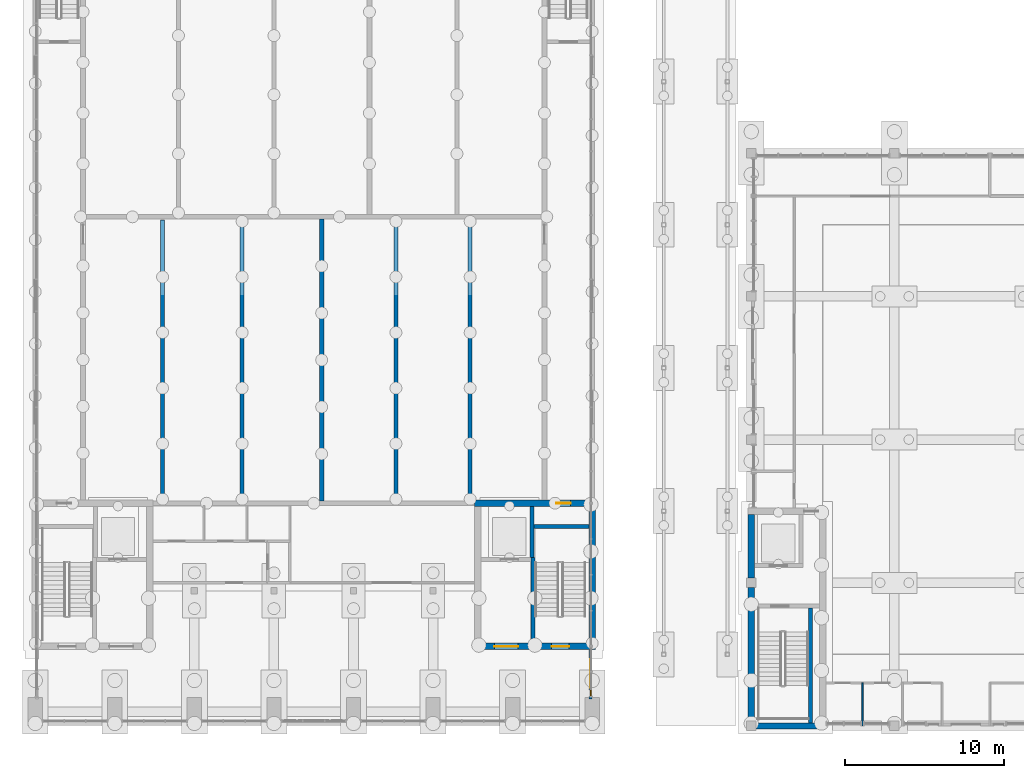
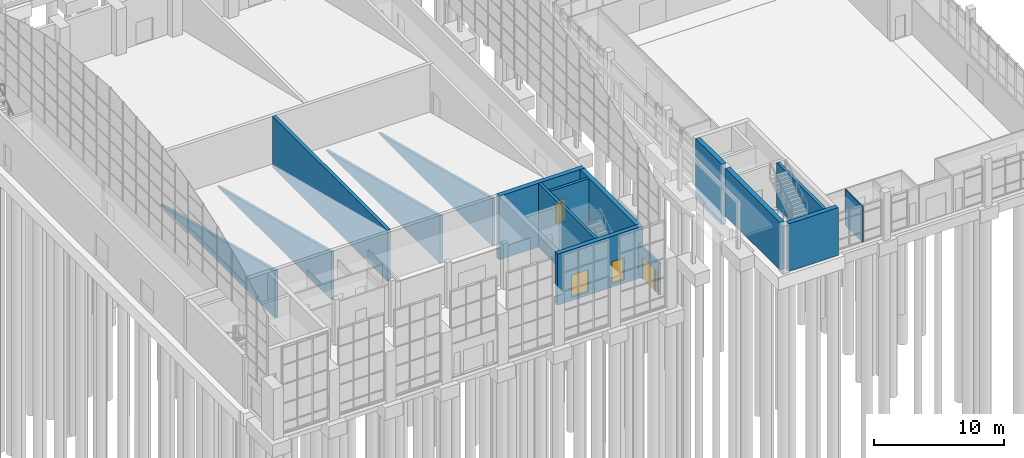
# One storey, part 66 of 106: 17 walls, 4 doors, 1 window, 5 openings.
"""IFC4 building model written with IfcOpenShell, lengths in metres."""

from ifc_helpers import new_model, si_unit, direction, frame, frame_2d, origin, place, context, subcontext, project, spatial, polyline, rectangle, outline, extrude, material, layer, layer_set, type_object, element, fill, save


model = new_model("IFC4")

# Units and contexts
model_context = context("Model", 3, precision=1e-05, world=origin(), true_north=direction((0.0, 1.0)))
body_context = subcontext(model_context, "Body", "Model", "MODEL_VIEW")
ifc_project = project(units=[si_unit("LENGTHUNIT", "METRE"), si_unit("AREAUNIT", "SQUARE_METRE"), si_unit("VOLUMEUNIT", "CUBIC_METRE"), si_unit("PLANEANGLEUNIT", "RADIAN"), si_unit("MASSUNIT", "GRAM", prefix="KILO")], contexts=[model_context])

# Site, building, storey
site_placement = place(None, origin())
site = spatial("IfcSite", under=ifc_project, at=site_placement, CompositionType="ELEMENT")
building_placement = place(site_placement, origin())
building = spatial("IfcBuilding", under=site, at=building_placement, Name="Merrow Basin Faculty of Sciences", CompositionType="ELEMENT")
storey_placement = place(building_placement, origin())
storey = spatial("IfcBuildingStorey", under=building, at=storey_placement, Name="L00", CompositionType="ELEMENT", Elevation=0.0)

# Wall, openings, door, window
ifc_material_1 = material(Name="Precast concrete C40/50", Category="concrete")
ifc_layer_1 = layer(ifc_material_1, 0.199951171875)
ifc_layer_set_1 = layer_set([ifc_layer_1], Name="Entrance frame wall 200 Precast concrete C40/50")
wall_type_1 = type_object("IfcWallType", Name="Entrance frame wall 200 Precast concrete C40/50", PredefinedType="STANDARD", material=ifc_layer_set_1)
wall_1_placement = place(storey_placement, frame((34.89990234375, 4.800048828125, 0.0), z_axis=(0.0, 0.0, 1.0), x_axis=(0.0, -1.0, 0.0)))
wall_1 = element("IfcWall", 1, at=wall_1_placement, inside=storey, type_object=wall_type_1, Name="East gable frame wall", PredefinedType="STANDARD", context=body_context, shape_type="SweptSolid", body=[
    extrude(rectangle(XDim=3.10009765625, YDim=0.199951171875, at=frame_2d((1.550048828125, 0.0))), origin(), (0.0, 0.0, 1.0), 3.0),
])
opening_1_placement = place(wall_1_placement, frame((0.60009765625, 0.0, 0.0)))
opening_1 = element("IfcOpeningElement", 2, at=opening_1_placement, cuts=wall_1, Name="Opening D00H028", PredefinedType="OPENING", context=body_context, shape_type="SweptSolid", body=[
    extrude(rectangle(XDim=1.800048828125, YDim=2.10009765625, at=frame_2d((0.89990234375, 1.050048828125))), frame((0.0, 0.10986328125, 0.0), z_axis=(0.0, -1.0, 0.0), x_axis=(1.0, 0.0, 0.0)), (0.0, 0.0, 1.0), 0.219970703125),
])
opening_2_placement = place(wall_1_placement, frame((2.550048828125, 0.0, 0.0)))
opening_2 = element("IfcOpeningElement", 3, at=opening_2_placement, cuts=wall_1, Name="Opening WN5", PredefinedType="OPENING", context=body_context, shape_type="SweptSolid", body=[
    extrude(rectangle(XDim=0.39990234375, YDim=2.10009765625, at=frame_2d((0.199951171875, 1.050048828125))), frame((0.0, 0.10986328125, 0.0), z_axis=(0.0, -1.0, 0.0), x_axis=(1.0, 0.0, 0.0)), (0.0, 0.0, 1.0), 0.219970703125),
])
ifc_material_2 = material(Name="Glazed aluminium door", Category="aluminium")
door_type_1 = type_object("IfcDoorType", Name="Double swing door 1800 x 2100", OperationType="NOTDEFINED", PredefinedType="DOOR", material=ifc_material_2)
door_1_placement = place(opening_1_placement, origin())
door_1 = element("IfcDoor", 4, at=door_1_placement, inside=storey, type_object=door_type_1, Name="East gable door", OperationType="DOUBLE_DOOR_SINGLE_SWING", OverallHeight=2.10009765625, OverallWidth=1.800048828125, PredefinedType="DOOR", context=body_context, shape_type="SweptSolid", body=[
    extrude(rectangle(XDim=1.800048828125, YDim=2.10009765625, at=frame_2d((0.89990234375, 1.050048828125))), frame((0.0, 0.02490234375, 0.0), z_axis=(0.0, -1.0, 0.0), x_axis=(1.0, 0.0, 0.0)), (0.0, 0.0, 1.0), 0.050048828125),
])
fill(opening_1, door_1)
ifc_material_3 = material(Name="Low-E double glazing", Category="glass")
window_type = type_object("IfcWindowType", Name="Gable sidelight 400 x 2100", PartitioningType="SINGLE_PANEL", PredefinedType="WINDOW", material=ifc_material_3)
window_placement = place(opening_2_placement, origin())
window = element("IfcWindow", 5, at=window_placement, inside=storey, type_object=window_type, Name="East gable sidelight", OverallHeight=2.10009765625, OverallWidth=0.39990234375, PartitioningType="SINGLE_PANEL", PredefinedType="WINDOW", context=body_context, shape_type="SweptSolid", body=[
    extrude(rectangle(XDim=0.39990234375, YDim=2.10009765625, at=frame_2d((0.199951171875, 1.050048828125))), frame((0.0, 0.030029296875, 0.0), z_axis=(0.0, -1.0, 0.0), x_axis=(1.0, 0.0, 0.0)), (0.0, 0.0, 1.0), 0.06005859375),
])
fill(opening_2, window)

# Walls
ifc_material_4 = material(Name="Concrete C40/50", Category="concrete")
ifc_layer_2 = layer(ifc_material_4, 0.300048828125)
ifc_layer_set_2 = layer_set([ifc_layer_2], Name="Hall wall 300 Concrete C40/50")
wall_type_2 = type_object("IfcWallType", Name="Hall wall 300 Concrete C40/50", PredefinedType="SHEAR", material=ifc_layer_set_2)
wall_2_placement = place(storey_placement, frame((18.0, 14.14990234375, -0.300048828125), z_axis=(0.0, 0.0, 1.0), x_axis=(0.0, 1.0, 0.0)))
element("IfcWall", 6, at=wall_2_placement, inside=storey, type_object=wall_type_2, Name="SW7 L00 023", PredefinedType="SHEAR", context=body_context, shape_type="SweptSolid", body=[
    extrude(rectangle(XDim=17.7001953125, YDim=0.300048828125, at=frame_2d((8.85009765625, 0.0))), origin(), (0.0, 0.0, 1.0), 4.800048828125),
])
ifc_material_5 = material(Name="Moisture-resistant gypsum board")
ifc_layer_3 = layer(ifc_material_5, 0.10009765625)
ifc_layer_set_3 = layer_set([ifc_layer_3], Name="Partition 100 moisture-resistant board on steel studs")
wall_type_3 = type_object("IfcWallType", Name="Partition 100 moisture-resistant board on steel studs", PredefinedType="PARTITIONING", material=ifc_layer_set_3)
wall_3_placement = place(storey_placement, frame((52.0, 0.0, 0.0), z_axis=(0.0, 0.0, 1.0), x_axis=(0.0, 1.0, 0.0)))
element("IfcWall", 7, at=wall_3_placement, inside=storey, type_object=wall_type_3, Name="IW101 L00 005", PredefinedType="PARTITIONING", context=body_context, shape_type="SweptSolid", body=[
    extrude(rectangle(XDim=2.699951171875, YDim=0.10009765625, at=frame_2d((1.35009765625, 0.0))), origin(), (0.0, 0.0, 1.0), 3.39990234375),
])
ifc_material_6 = material(Name="Concrete C40/50", Category="concrete")
ifc_layer_4 = layer(ifc_material_6, 0.25)
ifc_layer_set_4 = layer_set([ifc_layer_4], Name="Raked support wall 250 Concrete C40/50")
wall_type_4 = type_object("IfcWallType", Name="Raked support wall 250 Concrete C40/50", PredefinedType="SHEAR", material=ifc_layer_set_4)
for number, where, z_axis, x_axis, name in (
    (8, (8.0, 14.14990234375, -0.300048828125), (0.0, 0.0, 1.0), (0.0, 1.0, 0.0), "LT2 raked support wall 1"),
    (9, (13.0, 14.14990234375, -0.300048828125), (0.0, 0.0, 1.0), (0.0, 1.0, 0.0), "LT2 raked support wall 2"),
    (10, (22.6669921875, 14.14990234375, -0.300048828125), (0.0, 0.0, 1.0), (0.0, 1.0, 0.0), "LT3 raked support wall 1"),
    (11, (27.3330078125, 14.14990234375, -0.300048828125), (0.0, 0.0, 1.0), (0.0, 1.0, 0.0), "LT3 raked support wall 2"),
):
    element("IfcWall", number, at=place(storey_placement, frame(where, z_axis=z_axis, x_axis=x_axis)), inside=storey, type_object=wall_type_4, Name=name, PredefinedType="SHEAR", context=body_context, shape_type="SweptSolid", body=[
        extrude(outline(polyline([(0.0, 0.0), (17.662109375, 0.0), (17.662109375, 0.0), (13.2470703125, 1.123046875), (8.8310546875, 2.2451171875), (4.416015625, 3.3681640625), (0.0, 4.489990234375), (0.0, 0.0)])), frame((0.0, 0.125, 0.0), z_axis=(0.0, -1.0, 0.0), x_axis=(1.0, 0.0, 0.0)), (0.0, 0.0, 1.0), 0.25),
    ])
ifc_material_7 = material(Name="Concrete C40/50", Category="concrete")
ifc_layer_5 = layer(ifc_material_7, 0.25)
ifc_layer_set_5 = layer_set([ifc_layer_5], Name="Shear wall 250 Concrete C40/50")
wall_type_5 = type_object("IfcWallType", Name="Shear wall 250 Concrete C40/50", PredefinedType="SHEAR", material=ifc_layer_set_5)
wall_4_placement = place(storey_placement, frame((31.14990234375, 12.52490234375, -0.300048828125), z_axis=(0.0, 0.0, 1.0), x_axis=(1.0, 0.0, 0.0)))
element("IfcWall", 12, at=wall_4_placement, inside=storey, type_object=wall_type_5, Name="SW2 L00 013", PredefinedType="SHEAR", context=body_context, shape_type="SweptSolid", body=[
    extrude(rectangle(XDim=3.650146484375, YDim=0.25, at=frame_2d((1.8251953125, 0.0))), origin(), (0.0, 0.0, 1.0), 4.800048828125),
])
wall_5_placement = place(storey_placement, frame((31.27490234375, 5.199951171875, -0.300048828125), z_axis=(0.0, 0.0, 1.0), x_axis=(0.0, 1.0, 0.0)))
element("IfcWall", 13, at=wall_5_placement, inside=storey, type_object=wall_type_5, Name="SW2 L00 014", PredefinedType="SHEAR", context=body_context, shape_type="SweptSolid", body=[
    extrude(rectangle(XDim=5.400146484375, YDim=0.25, at=frame_2d((2.7001953125, 0.0))), origin(), (0.0, 0.0, 1.0), 4.800048828125),
])
wall_6_placement = place(storey_placement, frame((31.22509765625, 10.60009765625, -1.5), z_axis=(0.0, 0.0, 1.0), x_axis=(0.0, 1.0, 0.0)))
element("IfcWall", 14, at=wall_6_placement, inside=storey, type_object=wall_type_5, Name="SW2 L00 016", PredefinedType="SHEAR", context=body_context, shape_type="SweptSolid", body=[
    extrude(rectangle(XDim=3.199951171875, YDim=0.25, at=frame_2d((1.60009765625, 0.0))), origin(), (0.0, 0.0, 1.0), 6.0),
])
wall_7_placement = place(storey_placement, frame((48.72509765625, 0.199951171875, -0.300048828125), z_axis=(0.0, 0.0, 1.0), x_axis=(0.0, 1.0, 0.0)))
element("IfcWall", 15, at=wall_7_placement, inside=storey, type_object=wall_type_5, Name="SW2 L00 007", PredefinedType="SHEAR", context=body_context, shape_type="SweptSolid", body=[
    extrude(rectangle(XDim=7.199951171875, YDim=0.25, at=frame_2d((3.60009765625, 0.0))), origin(), (0.0, 0.0, 1.0), 4.5),
])

# Wall, openings, doors
ifc_material_8 = material(Name="Concrete C40/50", Category="concrete")
ifc_layer_6 = layer(ifc_material_8, 0.39990234375)
ifc_layer_set_6 = layer_set([ifc_layer_6], Name="Shear wall 400 Concrete C40/50")
wall_type_6 = type_object("IfcWallType", Name="Shear wall 400 Concrete C40/50", PredefinedType="SHEAR", material=ifc_layer_set_6)
wall_8_placement = place(storey_placement, frame((27.60009765625, 5.0, -0.300048828125), z_axis=(0.0, 0.0, 1.0), x_axis=(1.0, 0.0, 0.0)))
wall_8 = element("IfcWall", 16, at=wall_8_placement, inside=storey, type_object=wall_type_6, Name="SW1 L00 009", PredefinedType="SHEAR", context=body_context, shape_type="SweptSolid", body=[
    extrude(rectangle(XDim=7.599853515625, YDim=0.39990234375, at=frame_2d((3.7998046875, 0.0))), origin(), (0.0, 0.0, 1.0), 4.800048828125),
])
opening_3_placement = place(wall_8_placement, frame((4.85009765625, 0.0, 0.300048828125)))
opening_3 = element("IfcOpeningElement", 17, at=opening_3_placement, cuts=wall_8, Name="Opening D00H004", PredefinedType="OPENING", context=body_context, shape_type="SweptSolid", body=[
    extrude(rectangle(XDim=1.10009765625, YDim=2.10009765625, at=frame_2d((0.550048828125, 1.050048828125))), frame((0.0, 0.2099609375, 0.0), z_axis=(0.0, -1.0, 0.0), x_axis=(1.0, 0.0, 0.0)), (0.0, 0.0, 1.0), 0.419921875),
])
opening_4_placement = place(wall_8_placement, frame((1.25, 0.0, 0.300048828125)))
opening_4 = element("IfcOpeningElement", 18, at=opening_4_placement, cuts=wall_8, Name="Opening D00H005", PredefinedType="OPENING", context=body_context, shape_type="SweptSolid", body=[
    extrude(rectangle(XDim=1.5, YDim=2.10009765625, at=frame_2d((0.75, 1.050048828125))), frame((0.0, 0.2099609375, 0.0), z_axis=(0.0, -1.0, 0.0), x_axis=(1.0, 0.0, 0.0)), (0.0, 0.0, 1.0), 0.419921875),
])
ifc_material_9 = material(Name="Fire-rated steel door", Category="steel")
door_type_2 = type_object("IfcDoorType", Name="Fire door FD60 1500 x 2100", OperationType="NOTDEFINED", PredefinedType="DOOR", material=ifc_material_9)
door_2_placement = place(opening_4_placement, origin())
door_2 = element("IfcDoor", 19, at=door_2_placement, inside=storey, type_object=door_type_2, Name="Door D00H005", OperationType="DOUBLE_DOOR_SINGLE_SWING", OverallHeight=2.10009765625, OverallWidth=1.5, PredefinedType="DOOR", context=body_context, shape_type="SweptSolid", body=[
    extrude(rectangle(XDim=1.5, YDim=2.10009765625, at=frame_2d((0.75, 1.050048828125))), frame((0.0, 0.02490234375, 0.0), z_axis=(0.0, -1.0, 0.0), x_axis=(1.0, 0.0, 0.0)), (0.0, 0.0, 1.0), 0.050048828125),
])
fill(opening_4, door_2)
ifc_material_10 = material(Name="Fire-rated steel door", Category="steel")
door_type_3 = type_object("IfcDoorType", Name="Fire door FD90 1100 x 2100", OperationType="NOTDEFINED", PredefinedType="DOOR", material=ifc_material_10)
door_3_placement = place(opening_3_placement, frame((1.10009765625, 0.0, 0.0), z_axis=(0.0, 0.0, 1.0), x_axis=(-1.0, 0.0, 0.0)))
door_3 = element("IfcDoor", 20, at=door_3_placement, inside=storey, type_object=door_type_3, Name="Stair E exit door", OperationType="SINGLE_SWING_LEFT", OverallHeight=2.10009765625, OverallWidth=1.10009765625, PredefinedType="DOOR", context=body_context, shape_type="SweptSolid", body=[
    extrude(rectangle(XDim=1.10009765625, YDim=2.10009765625, at=frame_2d((0.550048828125, 1.050048828125))), frame((0.0, 0.02490234375, 0.0), z_axis=(0.0, -1.0, 0.0), x_axis=(1.0, 0.0, 0.0)), (0.0, 0.0, 1.0), 0.050048828125),
])
fill(opening_3, door_3)

# Wall, opening, door
wall_9_placement = place(storey_placement, frame((27.60009765625, 14.0, -1.5), z_axis=(0.0, 0.0, 1.0), x_axis=(1.0, 0.0, 0.0)))
wall_9 = element("IfcWall", 21, at=wall_9_placement, inside=storey, type_object=wall_type_6, Name="SW1 L00 010", PredefinedType="SHEAR", context=body_context, shape_type="SweptSolid", body=[
    extrude(rectangle(XDim=7.599853515625, YDim=0.39990234375, at=frame_2d((3.7998046875, 0.0))), origin(), (0.0, 0.0, 1.0), 6.0),
])
opening_5_placement = place(wall_9_placement, frame((5.14990234375, 0.0, 1.5)))
opening_5 = element("IfcOpeningElement", 22, at=opening_5_placement, cuts=wall_9, Name="Opening D00H006", PredefinedType="OPENING", context=body_context, shape_type="SweptSolid", body=[
    extrude(rectangle(XDim=0.89990234375, YDim=2.10009765625, at=frame_2d((0.449951171875, 1.050048828125))), frame((0.0, 0.2099609375, 0.0), z_axis=(0.0, -1.0, 0.0), x_axis=(1.0, 0.0, 0.0)), (0.0, 0.0, 1.0), 0.419921875),
])
ifc_material_11 = material(Name="Fire-rated steel door", Category="steel")
door_type_4 = type_object("IfcDoorType", Name="Fire door FD60 900 x 2100", OperationType="NOTDEFINED", PredefinedType="DOOR", material=ifc_material_11)
door_4_placement = place(opening_5_placement, origin())
door_4 = element("IfcDoor", 23, at=door_4_placement, inside=storey, type_object=door_type_4, Name="Door D00H006", OperationType="SINGLE_SWING_RIGHT", OverallHeight=2.10009765625, OverallWidth=0.89990234375, PredefinedType="DOOR", context=body_context, shape_type="SweptSolid", body=[
    extrude(rectangle(XDim=0.89990234375, YDim=2.10009765625, at=frame_2d((0.449951171875, 1.050048828125))), frame((0.0, 0.02490234375, 0.0), z_axis=(0.0, -1.0, 0.0), x_axis=(1.0, 0.0, 0.0)), (0.0, 0.0, 1.0), 0.050048828125),
])
fill(opening_5, door_4)

# Walls
wall_10_placement = place(storey_placement, frame((35.0, 5.199951171875, -0.300048828125), z_axis=(0.0, 0.0, 1.0), x_axis=(0.0, 1.0, 0.0)))
element("IfcWall", 24, at=wall_10_placement, inside=storey, type_object=wall_type_6, Name="SW1 L00 012", PredefinedType="SHEAR", context=body_context, shape_type="SweptSolid", body=[
    extrude(rectangle(XDim=8.60009765625, YDim=0.39990234375, at=frame_2d((4.300048828125, 0.0))), origin(), (0.0, 0.0, 1.0), 4.800048828125),
])
wall_11_placement = place(storey_placement, frame((45.300048828125, 0.0, -0.300048828125), z_axis=(0.0, 0.0, 1.0), x_axis=(1.0, 0.0, 0.0)))
element("IfcWall", 25, at=wall_11_placement, inside=storey, type_object=wall_type_6, Name="SW1 L00 001", PredefinedType="SHEAR", context=body_context, shape_type="SweptSolid", body=[
    extrude(rectangle(XDim=4.39990234375, YDim=0.39990234375, at=frame_2d((2.199951171875, 0.0))), origin(), (0.0, 0.0, 1.0), 4.5),
])
wall_12_placement = place(storey_placement, frame((45.0, 0.300048828125, -0.300048828125), z_axis=(0.0, 0.0, 1.0), x_axis=(0.0, 1.0, 0.0)))
element("IfcWall", 26, at=wall_12_placement, inside=storey, type_object=wall_type_6, Name="SW1 L00 003", PredefinedType="SHEAR", context=body_context, shape_type="SweptSolid", body=[
    extrude(rectangle(XDim=8.39990234375, YDim=0.39990234375, at=frame_2d((4.199951171875, 0.0))), origin(), (0.0, 0.0, 1.0), 4.5),
])
wall_13_placement = place(storey_placement, frame((45.0, 9.300048828125, -1.5), z_axis=(0.0, 0.0, 1.0), x_axis=(0.0, 1.0, 0.0)))
element("IfcWall", 27, at=wall_13_placement, inside=storey, type_object=wall_type_6, Name="SW1 L00 004", PredefinedType="SHEAR", context=body_context, shape_type="SweptSolid", body=[
    extrude(rectangle(XDim=4.0, YDim=0.39990234375, at=frame_2d((2.0, 0.0))), origin(), (0.0, 0.0, 1.0), 5.699951171875),
])

save(model, "model.ifc")
